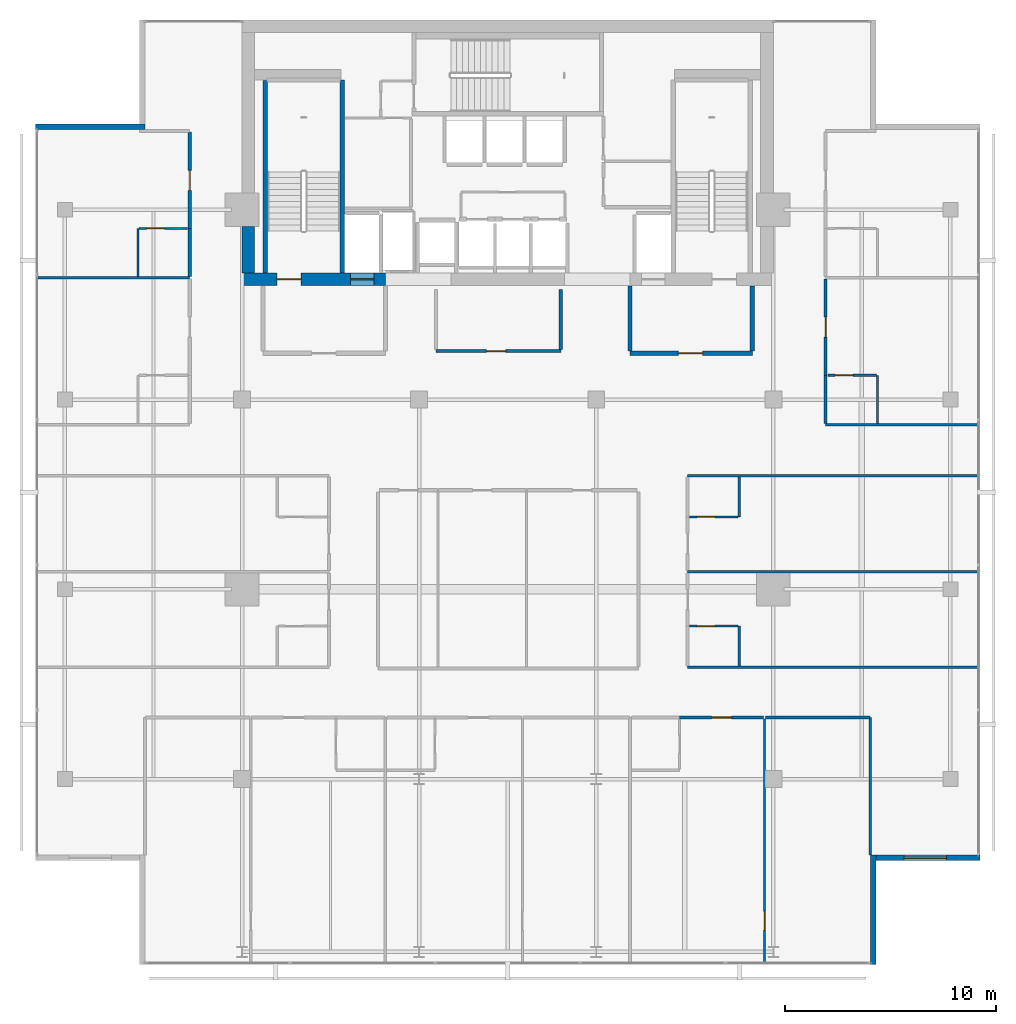
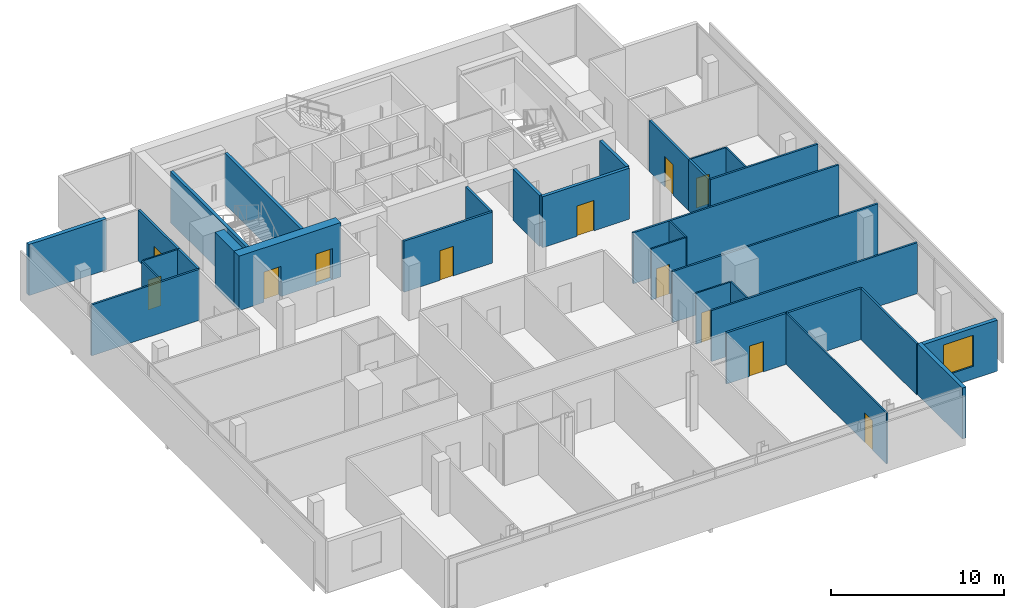
# One storey, part 21 of 25: 33 walls, 12 doors, 1 window, 13 openings.
"""IFC4 building model written with IfcOpenShell, lengths in metres."""

from ifc_helpers import new_model, si_unit, direction, frame, frame_2d, origin, place, context, subcontext, project, spatial, rectangle, extrude, material, layer, layer_set, type_object, element, fill, save


model = new_model("IFC4")

# Units and contexts
model_context = context("Model", 3, precision=1e-05, world=origin(), true_north=direction((0.0, 1.0)))
body_context = subcontext(model_context, "Body", "Model", "MODEL_VIEW")
ifc_project = project(units=[si_unit("LENGTHUNIT", "METRE"), si_unit("AREAUNIT", "SQUARE_METRE"), si_unit("VOLUMEUNIT", "CUBIC_METRE"), si_unit("PLANEANGLEUNIT", "RADIAN"), si_unit("MASSUNIT", "GRAM", prefix="KILO")], contexts=[model_context])

# Site, building, storey
site_placement = place(None, origin())
site = spatial("IfcSite", under=ifc_project, at=site_placement, CompositionType="ELEMENT")
building_placement = place(site_placement, origin())
building = spatial("IfcBuilding", under=site, at=building_placement, Name="Maruvema Waterfront Hotel and Observation Tower", CompositionType="ELEMENT")
storey_placement = place(building_placement, frame((0.0, 0.0, 304.85009765625)))
storey = spatial("IfcBuildingStorey", under=building, at=storey_placement, Name="L75", CompositionType="ELEMENT", Elevation=304.85009765625)

# Wall, opening, door
ifc_material_1 = material(Name="Twin-stud acoustic gypsum drywall", Category="gypsum")
ifc_layer_1 = layer(ifc_material_1, 0.14990234375, Name="Acoustic Corridor and Suite Demising Wall 150 mm")
ifc_layer_set_1 = layer_set([ifc_layer_1], Name="Twin-stud acoustic gypsum drywall")
wall_type_1 = type_object("IfcWallType", Name="Acoustic Corridor and Suite Demising Wall 150 mm", PredefinedType="PARTITIONING", material=ifc_layer_set_1)
wall_1_placement = place(storey_placement, frame((34.39990234375, 38.300048828125, 0.0), z_axis=(0.0, 0.0, 1.0), x_axis=(1.0, 0.0, 0.0)))
wall_1 = element("IfcWall", 1, at=wall_1_placement, inside=storey, type_object=wall_type_1, Name="L75 Core Apron K0 South 022", PredefinedType="PARTITIONING", context=body_context, shape_type="SweptSolid", body=[
    extrude(rectangle(XDim=5.920166015625, YDim=0.14990234375, at=frame_2d((2.9599609375, 0.0))), origin(), (0.0, 0.0, 1.0), 3.60986328125),
])
opening_1_placement = place(wall_1_placement, frame((2.39990234375, 0.0, 0.0)))
opening_1 = element("IfcOpeningElement", 2, at=opening_1_placement, cuts=wall_1, Name="Opening DR-090", PredefinedType="OPENING", context=body_context, shape_type="SweptSolid", body=[
    extrude(rectangle(XDim=0.89990234375, YDim=2.10009765625, at=frame_2d((0.449951171875, 1.050048828125))), frame((0.0, 0.0849609375, 0.0), z_axis=(0.0, -1.0, 0.0), x_axis=(1.0, 0.0, 0.0)), (0.0, 0.0, 1.0), 0.169921875),
])
ifc_material_2 = material(Name="Solid-core lacquered timber leaf", Category="wood")
door_type_1 = type_object("IfcDoorType", Name="Accessible Toilet and Room Door 900x2100 mm", OperationType="NOTDEFINED", PredefinedType="DOOR", material=ifc_material_2)
door_1_placement = place(opening_1_placement, frame((0.89990234375, 0.0, 0.0), z_axis=(0.0, 0.0, 1.0), x_axis=(-1.0, 0.0, 0.0)))
door_1 = element("IfcDoor", 3, at=door_1_placement, inside=storey, type_object=door_type_1, Name="L75 Core Valet Room Door", OperationType="SINGLE_SWING_LEFT", OverallHeight=2.10009765625, OverallWidth=0.89990234375, PredefinedType="DOOR", context=body_context, shape_type="SweptSolid", body=[
    extrude(rectangle(XDim=0.89990234375, YDim=2.10009765625, at=frame_2d((0.449951171875, 1.050048828125))), frame((0.0, 0.02490234375, 0.0), z_axis=(0.0, -1.0, 0.0), x_axis=(1.0, 0.0, 0.0)), (0.0, 0.0, 1.0), 0.050048828125),
])
fill(opening_1, door_1)

# Wall
wall_2_placement = place(storey_placement, frame((40.320068359375, 38.3798828125, 0.0), z_axis=(0.0, 0.0, 1.0), x_axis=(0.0, 1.0, 0.0)))
element("IfcWall", 4, at=wall_2_placement, inside=storey, type_object=wall_type_1, Name="L75 Core Apron K0 East 024", PredefinedType="PARTITIONING", context=body_context, shape_type="SweptSolid", body=[
    extrude(rectangle(XDim=2.840087890625, YDim=0.14990234375, at=frame_2d((1.419921875, 0.0))), origin(), (0.0, 0.0, 1.0), 3.60986328125),
])

# Wall, opening, door
wall_3_placement = place(storey_placement, frame((45.949951171875, 20.919921875, 0.0), z_axis=(0.0, 0.0, 1.0), x_axis=(1.0, 0.0, 0.0)))
wall_3 = element("IfcWall", 5, at=wall_3_placement, inside=storey, type_object=wall_type_1, Name="L75 Unit L75-S3 Corridor Wall 052", PredefinedType="PARTITIONING", context=body_context, shape_type="SweptSolid", body=[
    extrude(rectangle(XDim=3.994140625, YDim=0.14990234375, at=frame_2d((1.9970703125, 0.0))), origin(), (0.0, 0.0, 1.0), 3.60986328125),
])
opening_2_placement = place(wall_3_placement, frame((1.52197265625, 0.0, 0.0)))
opening_2 = element("IfcOpeningElement", 6, at=opening_2_placement, cuts=wall_3, Name="Opening DR-095", PredefinedType="OPENING", context=body_context, shape_type="SweptSolid", body=[
    extrude(rectangle(XDim=0.949951171875, YDim=2.14990234375, at=frame_2d((0.47509765625, 1.074951171875))), frame((0.0, 0.0849609375, 0.0), z_axis=(0.0, -1.0, 0.0), x_axis=(1.0, 0.0, 0.0)), (0.0, 0.0, 1.0), 0.169921875),
])
ifc_material_3 = material(Name="Acoustic solid-core hardwood timber leaf", Category="wood")
door_type_2 = type_object("IfcDoorType", Name="Guestroom Entrance Fire Door 950x2150 mm", OperationType="NOTDEFINED", PredefinedType="DOOR", material=ifc_material_3)
door_2_placement = place(opening_2_placement, frame((0.949951171875, 0.0, 0.0), z_axis=(0.0, 0.0, 1.0), x_axis=(-1.0, 0.0, 0.0)))
door_2 = element("IfcDoor", 7, at=door_2_placement, inside=storey, type_object=door_type_2, Name="L75 Unit L75-S3 Entrance Door", OperationType="SINGLE_SWING_RIGHT", OverallHeight=2.14990234375, OverallWidth=0.949951171875, PredefinedType="DOOR", context=body_context, shape_type="SweptSolid", body=[
    extrude(rectangle(XDim=0.949951171875, YDim=2.14990234375, at=frame_2d((0.47509765625, 1.074951171875))), frame((0.0, 0.02490234375, 0.0), z_axis=(0.0, -1.0, 0.0), x_axis=(1.0, 0.0, 0.0)), (0.0, 0.0, 1.0), 0.050048828125),
])
fill(opening_2, door_2)

# Walls
wall_4_placement = place(storey_placement, frame((50.02392578125, 20.919921875, 0.0), z_axis=(0.0, 0.0, 1.0), x_axis=(1.0, 0.0, 0.0)))
element("IfcWall", 8, at=wall_4_placement, inside=storey, type_object=wall_type_1, Name="L75 Bedroom L75-S3 Back Wall 053", PredefinedType="PARTITIONING", context=body_context, shape_type="SweptSolid", body=[
    extrude(rectangle(XDim=4.9560546875, YDim=0.14990234375, at=frame_2d((2.47802734375, 0.0))), origin(), (0.0, 0.0, 1.0), 3.60986328125),
])
wall_5_placement = place(storey_placement, frame((52.8798828125, 34.860107421875, 0.0), z_axis=(0.0, 0.0, 1.0), x_axis=(0.0, 1.0, 0.0)))
element("IfcWall", 9, at=wall_5_placement, inside=storey, type_object=wall_type_1, Name="L75 Bath L75-NE1 Wall 085", PredefinedType="PARTITIONING", context=body_context, shape_type="SweptSolid", body=[
    extrude(rectangle(XDim=2.289794921875, YDim=0.14990234375, at=frame_2d((1.14501953125, 0.0))), origin(), (0.0, 0.0, 1.0), 3.60986328125),
])

# Wall, opening, door
wall_6_placement = place(storey_placement, frame((52.8798828125, 37.14990234375, 0.0), z_axis=(0.0, 0.0, 1.0), x_axis=(0.0, 1.0, 0.0)))
wall_6 = element("IfcWall", 10, at=wall_6_placement, inside=storey, type_object=wall_type_1, Name="L75 Room L75-NE1 Corridor Wall 086", PredefinedType="PARTITIONING", context=body_context, shape_type="SweptSolid", body=[
    extrude(rectangle(XDim=4.558837890625, YDim=0.14990234375, at=frame_2d((2.279296875, 0.0))), origin(), (0.0, 0.0, 1.0), 3.60986328125),
])
opening_3_placement = place(wall_6_placement, frame((1.804443359375, 0.0, 0.0)))
opening_3 = element("IfcOpeningElement", 11, at=opening_3_placement, cuts=wall_6, Name="Opening DR-095", PredefinedType="OPENING", context=body_context, shape_type="SweptSolid", body=[
    extrude(rectangle(XDim=0.949951171875, YDim=2.14990234375, at=frame_2d((0.47509765625, 1.074951171875))), frame((0.0, 0.0849609375, 0.0), z_axis=(0.0, -1.0, 0.0), x_axis=(1.0, 0.0, 0.0)), (0.0, 0.0, 1.0), 0.169921875),
])
door_3_placement = place(opening_3_placement, frame((0.949951171875, 0.0, 0.0), z_axis=(0.0, 0.0, 1.0), x_axis=(-1.0, 0.0, 0.0)))
door_3 = element("IfcDoor", 12, at=door_3_placement, inside=storey, type_object=door_type_2, Name="L75 Room L75-NE1 Entrance Door", OperationType="SINGLE_SWING_LEFT", OverallHeight=2.14990234375, OverallWidth=0.949951171875, PredefinedType="DOOR", context=body_context, shape_type="SweptSolid", body=[
    extrude(rectangle(XDim=0.949951171875, YDim=2.14990234375, at=frame_2d((0.47509765625, 1.074951171875))), frame((0.0, 0.02490234375, 0.0), z_axis=(0.0, -1.0, 0.0), x_axis=(1.0, 0.0, 0.0)), (0.0, 0.0, 1.0), 0.050048828125),
])
fill(opening_3, door_3)

# Wall
wall_7_placement = place(storey_placement, frame((22.719970703125, 41.82861328125, 0.0), z_axis=(0.0, 0.0, 1.0), x_axis=(0.0, 1.0, 0.0)))
element("IfcWall", 13, at=wall_7_placement, inside=storey, type_object=wall_type_1, Name="L75 Bath L75-NW2 Wall 091", PredefinedType="PARTITIONING", context=body_context, shape_type="SweptSolid", body=[
    extrude(rectangle(XDim=2.2900390625, YDim=0.14990234375, at=frame_2d((1.14501953125, 0.0))), origin(), (0.0, 0.0, 1.0), 3.60986328125),
])

# Wall, opening, door
wall_8_placement = place(storey_placement, frame((22.719970703125, 44.11865234375, 0.0), z_axis=(0.0, 0.0, 1.0), x_axis=(0.0, 1.0, 0.0)))
wall_8 = element("IfcWall", 14, at=wall_8_placement, inside=storey, type_object=wall_type_1, Name="L75 Room L75-NW2 Corridor Wall 092", PredefinedType="PARTITIONING", context=body_context, shape_type="SweptSolid", body=[
    extrude(rectangle(XDim=4.558837890625, YDim=0.14990234375, at=frame_2d((2.279296875, 0.0))), origin(), (0.0, 0.0, 1.0), 3.60986328125),
])
opening_4_placement = place(wall_8_placement, frame((1.804443359375, 0.0, 0.0)))
opening_4 = element("IfcOpeningElement", 15, at=opening_4_placement, cuts=wall_8, Name="Opening DR-095", PredefinedType="OPENING", context=body_context, shape_type="SweptSolid", body=[
    extrude(rectangle(XDim=0.949951171875, YDim=2.14990234375, at=frame_2d((0.47509765625, 1.074951171875))), frame((0.0, 0.0849609375, 0.0), z_axis=(0.0, -1.0, 0.0), x_axis=(1.0, 0.0, 0.0)), (0.0, 0.0, 1.0), 0.169921875),
])
door_4_placement = place(opening_4_placement, origin())
door_4 = element("IfcDoor", 16, at=door_4_placement, inside=storey, type_object=door_type_2, Name="L75 Room L75-NW2 Entrance Door", OperationType="SINGLE_SWING_LEFT", OverallHeight=2.14990234375, OverallWidth=0.949951171875, PredefinedType="DOOR", context=body_context, shape_type="SweptSolid", body=[
    extrude(rectangle(XDim=0.949951171875, YDim=2.14990234375, at=frame_2d((0.47509765625, 1.074951171875))), frame((0.0, 0.02490234375, 0.0), z_axis=(0.0, -1.0, 0.0), x_axis=(1.0, 0.0, 0.0)), (0.0, 0.0, 1.0), 0.050048828125),
])
fill(opening_4, door_4)

# Walls
ifc_material_4 = material(Name="Precast concrete C45/55", Category="concrete")
ifc_layer_2 = layer(ifc_material_4, 0.199951171875, Name="Core Shaft and Stairwell Enclosure Wall 200 mm")
ifc_layer_set_2 = layer_set([ifc_layer_2], Name="Precast concrete C45/55")
wall_type_2 = type_object("IfcWallType", Name="Core Shaft and Stairwell Enclosure Wall 200 mm", PredefinedType="SOLIDWALL", material=ifc_layer_set_2)
wall_9_placement = place(storey_placement, frame((29.949951171875, 42.0, 0.0), z_axis=(0.0, 0.0, 1.0), x_axis=(0.0, 1.0, 0.0)))
element("IfcWall", 17, at=wall_9_placement, inside=storey, type_object=wall_type_2, Name="L75 Stairwell ST-01 East Shaft Wall", PredefinedType="SOLIDWALL", context=body_context, shape_type="SweptSolid", body=[
    extrude(rectangle(XDim=9.14990234375, YDim=0.199951171875, at=frame_2d((4.574951171875, 0.0))), origin(), (0.0, 0.0, 1.0), 3.60986328125),
])
wall_10_placement = place(storey_placement, frame((26.300048828125, 42.0, 0.0), z_axis=(0.0, 0.0, 1.0), x_axis=(0.0, 1.0, 0.0)))
element("IfcWall", 18, at=wall_10_placement, inside=storey, type_object=wall_type_2, Name="L75 Stairwell ST-01 Shaft Lining Wall", PredefinedType="SOLIDWALL", context=body_context, shape_type="SweptSolid", body=[
    extrude(rectangle(XDim=9.1201171875, YDim=0.199951171875, at=frame_2d((4.56005859375, 0.0))), origin(), (0.0, 0.0, 1.0), 3.60986328125),
])

# Wall, openings, doors
ifc_material_5 = material(Name="Concrete C60/75", Category="concrete")
ifc_layer_3 = layer(ifc_material_5, 0.60009765625, Name="Core Shear Wall 600 mm")
ifc_layer_set_3 = layer_set([ifc_layer_3], Name="Concrete C60/75")
wall_type_3 = type_object("IfcWallType", Name="Core Shear Wall 600 mm", PredefinedType="SHEAR", material=ifc_layer_set_3)
wall_11_placement = place(storey_placement, frame((25.199951171875, 41.699951171875, 0.0), z_axis=(0.0, 0.0, 1.0), x_axis=(1.0, 0.0, 0.0)))
wall_11 = element("IfcWall", 19, at=wall_11_placement, inside=storey, type_object=wall_type_3, Name="L75 South-West Core Shear Wall", PredefinedType="SHEAR", context=body_context, shape_type="SweptSolid", body=[
    extrude(rectangle(XDim=6.800048828125, YDim=0.60009765625, at=frame_2d((3.39990234375, 0.0))), origin(), (0.0, 0.0, 1.0), 3.849853515625),
])
opening_5_placement = place(wall_11_placement, frame((1.64990234375, 0.0, 0.0)))
opening_5 = element("IfcOpeningElement", 20, at=opening_5_placement, cuts=wall_11, Name="Opening SD-01", PredefinedType="OPENING", context=body_context, shape_type="SweptSolid", body=[
    extrude(rectangle(XDim=1.14990234375, YDim=2.14990234375, at=frame_2d((0.574951171875, 1.074951171875))), frame((0.0, 0.31005859375, 0.0), z_axis=(0.0, -1.0, 0.0), x_axis=(1.0, 0.0, 0.0)), (0.0, 0.0, 1.0), 0.6201171875),
])
opening_6_placement = place(wall_11_placement, frame((5.14990234375, 0.0, 0.0)))
opening_6 = element("IfcOpeningElement", 21, at=opening_6_placement, cuts=wall_11, Name="Opening LD-03", PredefinedType="OPENING", context=body_context, shape_type="SweptSolid", body=[
    extrude(rectangle(XDim=1.10009765625, YDim=2.199951171875, at=frame_2d((0.550048828125, 1.10009765625))), frame((0.0, 0.31005859375, 0.0), z_axis=(0.0, -1.0, 0.0), x_axis=(1.0, 0.0, 0.0)), (0.0, 0.0, 1.0), 0.6201171875),
])
ifc_material_6 = material(Name="Fire-rated galvanised steel leaf", Category="steel")
door_type_3 = type_object("IfcDoorType", Name="Exit Stair Fire Door 1150x2150 mm", OperationType="NOTDEFINED", PredefinedType="DOOR", material=ifc_material_6)
door_5_placement = place(opening_5_placement, origin())
door_5 = element("IfcDoor", 22, at=door_5_placement, inside=storey, type_object=door_type_3, Name="L75 Exit Stair ST-01 Fire Door", OperationType="SINGLE_SWING_LEFT", OverallHeight=2.14990234375, OverallWidth=1.14990234375, PredefinedType="DOOR", context=body_context, shape_type="SweptSolid", body=[
    extrude(rectangle(XDim=1.14990234375, YDim=2.14990234375, at=frame_2d((0.574951171875, 1.074951171875))), frame((0.0, 0.02490234375, 0.0), z_axis=(0.0, -1.0, 0.0), x_axis=(1.0, 0.0, 0.0)), (0.0, 0.0, 1.0), 0.050048828125),
])
fill(opening_5, door_5)
ifc_material_7 = material(Name="Brushed stainless steel Grade 316", Category="steel")
door_type_4 = type_object("IfcDoorType", Name="Firefighting Lift Sliding Landing Door 1100x2200 mm", OperationType="SLIDING_TO_LEFT", PredefinedType="DOOR", material=ifc_material_7)
door_6_placement = place(opening_6_placement, frame((1.10009765625, 0.0, 0.0), z_axis=(0.0, 0.0, 1.0), x_axis=(-1.0, 0.0, 0.0)))
door_6 = element("IfcDoor", 23, at=door_6_placement, inside=storey, type_object=door_type_4, Name="L75 Firefighting Lift FL-01 Landing Door", OperationType="SLIDING_TO_LEFT", OverallHeight=2.199951171875, OverallWidth=1.10009765625, PredefinedType="DOOR", context=body_context, shape_type="SweptSolid", body=[
    extrude(rectangle(XDim=1.10009765625, YDim=2.199951171875, at=frame_2d((0.550048828125, 1.10009765625))), frame((0.0, 0.02490234375, 0.0), z_axis=(0.0, -1.0, 0.0), x_axis=(1.0, 0.0, 0.0)), (0.0, 0.0, 1.0), 0.050048828125),
])
fill(opening_6, door_6)

# Wall
wall_12_placement = place(storey_placement, frame((25.5, 42.0, 0.0), z_axis=(0.0, 0.0, 1.0), x_axis=(0.0, 1.0, 0.0)))
element("IfcWall", 24, at=wall_12_placement, inside=storey, type_object=wall_type_3, Name="L75 West-South Core Shear Wall", PredefinedType="SHEAR", context=body_context, shape_type="SweptSolid", body=[
    extrude(rectangle(XDim=2.199951171875, YDim=0.60009765625, at=frame_2d((1.10009765625, 0.0))), origin(), (0.0, 0.0, 1.0), 3.849853515625),
])

# Wall, opening, door
ifc_material_8 = material(Name="Moisture-resistant cement-board drywall", Category="gypsum")
ifc_layer_4 = layer(ifc_material_8, 0.10009765625, Name="En-Suite Moisture-Resistant Partition 100 mm")
ifc_layer_set_4 = layer_set([ifc_layer_4], Name="Moisture-resistant cement-board drywall")
wall_type_4 = type_object("IfcWallType", Name="En-Suite Moisture-Resistant Partition 100 mm", PredefinedType="PARTITIONING", material=ifc_layer_set_4)
wall_13_placement = place(storey_placement, frame((49.98388671875, 9.22998046875, 0.0), z_axis=(0.0, 0.0, 1.0), x_axis=(0.0, 1.0, 0.0)))
wall_13 = element("IfcWall", 25, at=wall_13_placement, inside=storey, type_object=wall_type_4, Name="L75 Suite L75-S3 Split 054", PredefinedType="PARTITIONING", context=body_context, shape_type="SweptSolid", body=[
    extrude(rectangle(XDim=11.630126953125, YDim=0.10009765625, at=frame_2d((5.81494140625, 0.0))), origin(), (0.0, 0.0, 1.0), 3.60986328125),
])
opening_7_placement = place(wall_13_placement, frame((1.60009765625, 0.0, 0.0)))
opening_7 = element("IfcOpeningElement", 26, at=opening_7_placement, cuts=wall_13, Name="Opening DR-090", PredefinedType="OPENING", context=body_context, shape_type="SweptSolid", body=[
    extrude(rectangle(XDim=0.89990234375, YDim=2.10009765625, at=frame_2d((0.449951171875, 1.050048828125))), frame((0.0, 0.06005859375, 0.0), z_axis=(0.0, -1.0, 0.0), x_axis=(1.0, 0.0, 0.0)), (0.0, 0.0, 1.0), 0.1201171875),
])
door_7_placement = place(opening_7_placement, origin())
door_7 = element("IfcDoor", 27, at=door_7_placement, inside=storey, type_object=door_type_1, Name="L75 Suite L75-S3 Bedroom Door", OperationType="SINGLE_SWING_LEFT", OverallHeight=2.10009765625, OverallWidth=0.89990234375, PredefinedType="DOOR", context=body_context, shape_type="SweptSolid", body=[
    extrude(rectangle(XDim=0.89990234375, YDim=2.10009765625, at=frame_2d((0.449951171875, 1.050048828125))), frame((0.0, 0.02490234375, 0.0), z_axis=(0.0, -1.0, 0.0), x_axis=(1.0, 0.0, 0.0)), (0.0, 0.0, 1.0), 0.050048828125),
])
fill(opening_7, door_7)

# Wall
wall_14_placement = place(storey_placement, frame((48.780029296875, 23.360107421875, 0.0), z_axis=(0.0, 0.0, 1.0), x_axis=(0.0, 1.0, 0.0)))
element("IfcWall", 28, at=wall_14_placement, inside=storey, type_object=wall_type_4, Name="L75 En-Suite L75-E1 E 065", PredefinedType="PARTITIONING", context=body_context, shape_type="SweptSolid", body=[
    extrude(rectangle(XDim=1.889892578125, YDim=0.10009765625, at=frame_2d((0.94482421875, 0.0))), origin(), (0.0, 0.0, 1.0), 3.60986328125),
])

# Wall, opening, door
wall_15_placement = place(storey_placement, frame((46.429931640625, 25.25, 0.0), z_axis=(0.0, 0.0, 1.0), x_axis=(1.0, 0.0, 0.0)))
wall_15 = element("IfcWall", 29, at=wall_15_placement, inside=storey, type_object=wall_type_4, Name="L75 En-Suite L75-E1 N 066", PredefinedType="PARTITIONING", context=body_context, shape_type="SweptSolid", body=[
    extrude(rectangle(XDim=2.300048828125, YDim=0.10009765625, at=frame_2d((1.14990234375, 0.0))), origin(), (0.0, 0.0, 1.0), 3.60986328125),
])
opening_8_placement = place(wall_15_placement, frame((0.35009765625, 0.0, 0.0)))
opening_8 = element("IfcOpeningElement", 30, at=opening_8_placement, cuts=wall_15, Name="Opening DR-085", PredefinedType="OPENING", context=body_context, shape_type="SweptSolid", body=[
    extrude(rectangle(XDim=0.85009765625, YDim=2.10009765625, at=frame_2d((0.425048828125, 1.050048828125))), frame((0.0, 0.06005859375, 0.0), z_axis=(0.0, -1.0, 0.0), x_axis=(1.0, 0.0, 0.0)), (0.0, 0.0, 1.0), 0.1201171875),
])
ifc_material_9 = material(Name="Moisture-resistant solid timber leaf", Category="wood")
door_type_5 = type_object("IfcDoorType", Name="En-Suite Bathroom Door 850x2100 mm", OperationType="NOTDEFINED", PredefinedType="DOOR", material=ifc_material_9)
door_8_placement = place(opening_8_placement, origin())
door_8 = element("IfcDoor", 31, at=door_8_placement, inside=storey, type_object=door_type_5, Name="L75 En-Suite L75-E1 Door", OperationType="SINGLE_SWING_RIGHT", OverallHeight=2.10009765625, OverallWidth=0.85009765625, PredefinedType="DOOR", context=body_context, shape_type="SweptSolid", body=[
    extrude(rectangle(XDim=0.85009765625, YDim=2.10009765625, at=frame_2d((0.425048828125, 1.050048828125))), frame((0.0, 0.02490234375, 0.0), z_axis=(0.0, -1.0, 0.0), x_axis=(1.0, 0.0, 0.0)), (0.0, 0.0, 1.0), 0.050048828125),
])
fill(opening_8, door_8)

# Wall
wall_16_placement = place(storey_placement, frame((48.780029296875, 30.429931640625, 0.0), z_axis=(0.0, 0.0, 1.0), x_axis=(0.0, 1.0, 0.0)))
element("IfcWall", 32, at=wall_16_placement, inside=storey, type_object=wall_type_4, Name="L75 En-Suite L75-E2 E 075", PredefinedType="PARTITIONING", context=body_context, shape_type="SweptSolid", body=[
    extrude(rectangle(XDim=1.89013671875, YDim=0.10009765625, at=frame_2d((0.945068359375, 0.0))), origin(), (0.0, 0.0, 1.0), 3.60986328125),
])

# Wall, opening, door
wall_17_placement = place(storey_placement, frame((46.429931640625, 30.429931640625, 0.0), z_axis=(0.0, 0.0, 1.0), x_axis=(1.0, 0.0, 0.0)))
wall_17 = element("IfcWall", 33, at=wall_17_placement, inside=storey, type_object=wall_type_4, Name="L75 En-Suite L75-E2 S 076", PredefinedType="PARTITIONING", context=body_context, shape_type="SweptSolid", body=[
    extrude(rectangle(XDim=2.300048828125, YDim=0.10009765625, at=frame_2d((1.14990234375, 0.0))), origin(), (0.0, 0.0, 1.0), 3.60986328125),
])
opening_9_placement = place(wall_17_placement, frame((0.35009765625, 0.0, 0.0)))
opening_9 = element("IfcOpeningElement", 34, at=opening_9_placement, cuts=wall_17, Name="Opening DR-085", PredefinedType="OPENING", context=body_context, shape_type="SweptSolid", body=[
    extrude(rectangle(XDim=0.85009765625, YDim=2.10009765625, at=frame_2d((0.425048828125, 1.050048828125))), frame((0.0, 0.06005859375, 0.0), z_axis=(0.0, -1.0, 0.0), x_axis=(1.0, 0.0, 0.0)), (0.0, 0.0, 1.0), 0.1201171875),
])
door_9_placement = place(opening_9_placement, frame((0.85009765625, 0.0, 0.0), z_axis=(0.0, 0.0, 1.0), x_axis=(-1.0, 0.0, 0.0)))
door_9 = element("IfcDoor", 35, at=door_9_placement, inside=storey, type_object=door_type_5, Name="L75 En-Suite L75-E2 Door", OperationType="SINGLE_SWING_RIGHT", OverallHeight=2.10009765625, OverallWidth=0.85009765625, PredefinedType="DOOR", context=body_context, shape_type="SweptSolid", body=[
    extrude(rectangle(XDim=0.85009765625, YDim=2.10009765625, at=frame_2d((0.425048828125, 1.050048828125))), frame((0.0, 0.02490234375, 0.0), z_axis=(0.0, -1.0, 0.0), x_axis=(1.0, 0.0, 0.0)), (0.0, 0.0, 1.0), 0.050048828125),
])
fill(opening_9, door_9)

# Wall
wall_18_placement = place(storey_placement, frame((55.330078125, 34.860107421875, 0.0), z_axis=(0.0, 0.0, 1.0), x_axis=(0.0, 1.0, 0.0)))
element("IfcWall", 36, at=wall_18_placement, inside=storey, type_object=wall_type_4, Name="L75 En-Suite L75-NE1 E 087", PredefinedType="PARTITIONING", context=body_context, shape_type="SweptSolid", body=[
    extrude(rectangle(XDim=2.289794921875, YDim=0.10009765625, at=frame_2d((1.14501953125, 0.0))), origin(), (0.0, 0.0, 1.0), 3.60986328125),
])

# Wall, opening, door
wall_19_placement = place(storey_placement, frame((52.97998046875, 37.14990234375, 0.0), z_axis=(0.0, 0.0, 1.0), x_axis=(1.0, 0.0, 0.0)))
wall_19 = element("IfcWall", 37, at=wall_19_placement, inside=storey, type_object=wall_type_4, Name="L75 En-Suite L75-NE1 N 088", PredefinedType="PARTITIONING", context=body_context, shape_type="SweptSolid", body=[
    extrude(rectangle(XDim=2.300048828125, YDim=0.10009765625, at=frame_2d((1.14990234375, 0.0))), origin(), (0.0, 0.0, 1.0), 3.60986328125),
])
opening_10_placement = place(wall_19_placement, frame((0.35009765625, 0.0, 0.0)))
opening_10 = element("IfcOpeningElement", 38, at=opening_10_placement, cuts=wall_19, Name="Opening DR-085", PredefinedType="OPENING", context=body_context, shape_type="SweptSolid", body=[
    extrude(rectangle(XDim=0.85009765625, YDim=2.10009765625, at=frame_2d((0.425048828125, 1.050048828125))), frame((0.0, 0.06005859375, 0.0), z_axis=(0.0, -1.0, 0.0), x_axis=(1.0, 0.0, 0.0)), (0.0, 0.0, 1.0), 0.1201171875),
])
door_10_placement = place(opening_10_placement, origin())
door_10 = element("IfcDoor", 39, at=door_10_placement, inside=storey, type_object=door_type_5, Name="L75 En-Suite L75-NE1 Door", OperationType="SINGLE_SWING_RIGHT", OverallHeight=2.10009765625, OverallWidth=0.85009765625, PredefinedType="DOOR", context=body_context, shape_type="SweptSolid", body=[
    extrude(rectangle(XDim=0.85009765625, YDim=2.10009765625, at=frame_2d((0.425048828125, 1.050048828125))), frame((0.0, 0.02490234375, 0.0), z_axis=(0.0, -1.0, 0.0), x_axis=(1.0, 0.0, 0.0)), (0.0, 0.0, 1.0), 0.050048828125),
])
fill(opening_10, door_10)

# Wall
wall_20_placement = place(storey_placement, frame((20.27001953125, 41.82861328125, 0.0), z_axis=(0.0, 0.0, 1.0), x_axis=(0.0, 1.0, 0.0)))
element("IfcWall", 40, at=wall_20_placement, inside=storey, type_object=wall_type_4, Name="L75 En-Suite L75-NW2 W 093", PredefinedType="PARTITIONING", context=body_context, shape_type="SweptSolid", body=[
    extrude(rectangle(XDim=2.2900390625, YDim=0.10009765625, at=frame_2d((1.14501953125, 0.0))), origin(), (0.0, 0.0, 1.0), 3.60986328125),
])

# Wall, opening, door
wall_21_placement = place(storey_placement, frame((20.320068359375, 44.11865234375, 0.0), z_axis=(0.0, 0.0, 1.0), x_axis=(1.0, 0.0, 0.0)))
wall_21 = element("IfcWall", 41, at=wall_21_placement, inside=storey, type_object=wall_type_4, Name="L75 En-Suite L75-NW2 N 094", PredefinedType="PARTITIONING", context=body_context, shape_type="SweptSolid", body=[
    extrude(rectangle(XDim=2.300048828125, YDim=0.10009765625, at=frame_2d((1.14990234375, 0.0))), origin(), (0.0, 0.0, 1.0), 3.60986328125),
])
opening_11_placement = place(wall_21_placement, frame((0.35009765625, 0.0, 0.0)))
opening_11 = element("IfcOpeningElement", 42, at=opening_11_placement, cuts=wall_21, Name="Opening DR-085", PredefinedType="OPENING", context=body_context, shape_type="SweptSolid", body=[
    extrude(rectangle(XDim=0.85009765625, YDim=2.10009765625, at=frame_2d((0.425048828125, 1.050048828125))), frame((0.0, 0.06005859375, 0.0), z_axis=(0.0, -1.0, 0.0), x_axis=(1.0, 0.0, 0.0)), (0.0, 0.0, 1.0), 0.1201171875),
])
door_11_placement = place(opening_11_placement, origin())
door_11 = element("IfcDoor", 43, at=door_11_placement, inside=storey, type_object=door_type_5, Name="L75 En-Suite L75-NW2 Door", OperationType="SINGLE_SWING_RIGHT", OverallHeight=2.10009765625, OverallWidth=0.85009765625, PredefinedType="DOOR", context=body_context, shape_type="SweptSolid", body=[
    extrude(rectangle(XDim=0.85009765625, YDim=2.10009765625, at=frame_2d((0.425048828125, 1.050048828125))), frame((0.0, 0.02490234375, 0.0), z_axis=(0.0, -1.0, 0.0), x_axis=(1.0, 0.0, 0.0)), (0.0, 0.0, 1.0), 0.050048828125),
])
fill(opening_11, door_11)

# Wall
ifc_material_10 = material(Name="Precast concrete C45/55 with honed Pernambuco granite facing", Category="masonry")
ifc_layer_5 = layer(ifc_material_10, 0.260009765625, Name="Exterior Granite Clad Spandrel and Pier Wall 260 mm")
ifc_layer_set_5 = layer_set([ifc_layer_5], Name="Precast concrete C45/55 with honed Pernambuco granite facing")
wall_type_5 = type_object("IfcWallType", Name="Exterior Granite Clad Spandrel and Pier Wall 260 mm", PredefinedType="SOLIDWALL", material=ifc_layer_set_5)
wall_22_placement = place(storey_placement, frame((55.1298828125, 14.39990234375, 0.0), z_axis=(0.0, 0.0, 1.0), x_axis=(0.0, -1.0, 0.0)))
element("IfcWall", 44, at=wall_22_placement, inside=storey, type_object=wall_type_5, Name="L75 Corner Notch Granite Pier Wall SE1", PredefinedType="SOLIDWALL", context=body_context, shape_type="SweptSolid", body=[
    extrude(rectangle(XDim=5.199951171875, YDim=0.260009765625, at=frame_2d((2.60009765625, 0.0))), origin(), (0.0, 0.0, 1.0), 3.60986328125),
])

# Wall, opening, window
wall_23_placement = place(storey_placement, frame((60.199951171875, 14.27001953125, 0.0), z_axis=(0.0, 0.0, 1.0), x_axis=(-1.0, 0.0, 0.0)))
wall_23 = element("IfcWall", 45, at=wall_23_placement, inside=storey, type_object=wall_type_5, Name="L75 Corner Notch Granite Pier Wall SE2", PredefinedType="SOLIDWALL", context=body_context, shape_type="SweptSolid", body=[
    extrude(rectangle(XDim=5.199951171875, YDim=0.260009765625, at=frame_2d((2.60009765625, 0.0))), origin(), (0.0, 0.0, 1.0), 3.60986328125),
])
opening_12_placement = place(wall_23_placement, frame((1.60009765625, 0.0, 0.89990234375)))
opening_12 = element("IfcOpeningElement", 46, at=opening_12_placement, cuts=wall_23, Name="Opening WN-03", PredefinedType="OPENING", context=body_context, shape_type="SweptSolid", body=[
    extrude(rectangle(XDim=2.0, YDim=2.199951171875, at=frame_2d((1.0, 1.10009765625))), frame((0.0, 0.14013671875, 0.0), z_axis=(0.0, -1.0, 0.0), x_axis=(1.0, 0.0, 0.0)), (0.0, 0.0, 1.0), 0.280029296875),
])
ifc_material_11 = material(Name="Anodised bronze aluminium frame with laminated low-E glass", Category="aluminium")
window_type = type_object("IfcWindowType", Name="Sky Suite Panoramic Notch Window 2000x2200 mm", PartitioningType="SINGLE_PANEL", PredefinedType="WINDOW", material=ifc_material_11)
window_placement = place(opening_12_placement, origin())
window = element("IfcWindow", 47, at=window_placement, inside=storey, type_object=window_type, Name="L75 Corner Notch Punched Window SE2", OverallHeight=2.199951171875, OverallWidth=2.0, PartitioningType="SINGLE_PANEL", PredefinedType="WINDOW", context=body_context, shape_type="SweptSolid", body=[
    extrude(rectangle(XDim=2.0, YDim=2.199951171875, at=frame_2d((1.0, 1.10009765625))), frame((0.0, 0.030029296875, 0.0), z_axis=(0.0, -1.0, 0.0), x_axis=(1.0, 0.0, 0.0)), (0.0, 0.0, 1.0), 0.06005859375),
])
fill(opening_12, window)

# Wall
wall_24_placement = place(storey_placement, frame((15.39990234375, 48.929931640625, 0.0), z_axis=(0.0, 0.0, 1.0), x_axis=(1.0, 0.0, 0.0)))
element("IfcWall", 48, at=wall_24_placement, inside=storey, type_object=wall_type_5, Name="L75 Corner Notch Granite Pier Wall NW2", PredefinedType="SOLIDWALL", context=body_context, shape_type="SweptSolid", body=[
    extrude(rectangle(XDim=5.2001953125, YDim=0.260009765625, at=frame_2d((2.60009765625, 0.0))), origin(), (0.0, 0.0, 1.0), 3.60986328125),
])

# Wall, opening, door
ifc_material_12 = material(Name="Autoclaved cellular concrete blockwork", Category="masonry")
ifc_layer_6 = layer(ifc_material_12, 0.199951171875, Name="Fire Compartment Masonry Wall 200 mm")
ifc_layer_set_6 = layer_set([ifc_layer_6], Name="Autoclaved cellular concrete blockwork")
wall_type_6 = type_object("IfcWallType", Name="Fire Compartment Masonry Wall 200 mm", PredefinedType="PARTITIONING", material=ifc_layer_set_6)
wall_25_placement = place(storey_placement, frame((43.60009765625, 38.199951171875, 0.0), z_axis=(0.0, 0.0, 1.0), x_axis=(1.0, 0.0, 0.0)))
wall_25 = element("IfcWall", 49, at=wall_25_placement, inside=storey, type_object=wall_type_6, Name="L75 FFL East South Wall 004", PredefinedType="PARTITIONING", context=body_context, shape_type="SweptSolid", body=[
    extrude(rectangle(XDim=5.7998046875, YDim=0.199951171875, at=frame_2d((2.89990234375, 0.0))), origin(), (0.0, 0.0, 1.0), 3.60986328125),
])
opening_13_placement = place(wall_25_placement, frame((2.300048828125, 0.0, 0.0)))
opening_13 = element("IfcOpeningElement", 50, at=opening_13_placement, cuts=wall_25, Name="Opening FD-115", PredefinedType="OPENING", context=body_context, shape_type="SweptSolid", body=[
    extrude(rectangle(XDim=1.14990234375, YDim=2.14990234375, at=frame_2d((0.574951171875, 1.074951171875))), frame((0.0, 0.10986328125, 0.0), z_axis=(0.0, -1.0, 0.0), x_axis=(1.0, 0.0, 0.0)), (0.0, 0.0, 1.0), 0.219970703125),
])
ifc_material_13 = material(Name="Fire-rated galvanised steel and vision glass", Category="steel")
door_type_6 = type_object("IfcDoorType", Name="Firefighting Lobby Fire Door 1150x2150 mm", OperationType="NOTDEFINED", PredefinedType="DOOR", material=ifc_material_13)
door_12_placement = place(opening_13_placement, frame((1.14990234375, 0.0, 0.0), z_axis=(0.0, 0.0, 1.0), x_axis=(-1.0, 0.0, 0.0)))
door_12 = element("IfcDoor", 51, at=door_12_placement, inside=storey, type_object=door_type_6, Name="L75 Firefighting Lobby East Door", OperationType="SINGLE_SWING_RIGHT", OverallHeight=2.14990234375, OverallWidth=1.14990234375, PredefinedType="DOOR", context=body_context, shape_type="SweptSolid", body=[
    extrude(rectangle(XDim=1.14990234375, YDim=2.14990234375, at=frame_2d((0.574951171875, 1.074951171875))), frame((0.0, 0.02490234375, 0.0), z_axis=(0.0, -1.0, 0.0), x_axis=(1.0, 0.0, 0.0)), (0.0, 0.0, 1.0), 0.050048828125),
])
fill(opening_13, door_12)

# Walls
for number, where, z_axis, x_axis, name in (
    (52, (43.60009765625, 38.31005859375, 0.0), (0.0, 0.0, 1.0), (0.0, 1.0, 0.0), "L75 FFL East West Wall 005"),
    (53, (49.39990234375, 38.31005859375, 0.0), (0.0, 0.0, 1.0), (0.0, 1.0, 0.0), "L75 FFL East East Wall 006"),
):
    element("IfcWall", number, at=place(storey_placement, frame(where, z_axis=z_axis, x_axis=x_axis)), inside=storey, type_object=wall_type_6, Name=name, PredefinedType="PARTITIONING", context=body_context, shape_type="SweptSolid", body=[
        extrude(rectangle(XDim=3.06982421875, YDim=0.199951171875, at=frame_2d((1.534912109375, 0.0))), origin(), (0.0, 0.0, 1.0), 3.60986328125),
    ])
ifc_material_14 = material(Name="Acoustic gypsum plasterboard drywall", Category="gypsum")
ifc_layer_7 = layer(ifc_material_14, 0.125, Name="Guestroom Acoustic Demising Wall 125 mm")
ifc_layer_set_7 = layer_set([ifc_layer_7], Name="Acoustic gypsum plasterboard drywall")
wall_type_7 = type_object("IfcWallType", Name="Guestroom Acoustic Demising Wall 125 mm", PredefinedType="PARTITIONING", material=ifc_layer_set_7)
wall_26_placement = place(storey_placement, frame((55.0, 14.39990234375, 0.0), z_axis=(0.0, 0.0, 1.0), x_axis=(0.0, 1.0, 0.0)))
element("IfcWall", 54, at=wall_26_placement, inside=storey, type_object=wall_type_7, Name="L75 Z3 S East End 034", PredefinedType="PARTITIONING", context=body_context, shape_type="SweptSolid", body=[
    extrude(rectangle(XDim=6.52001953125, YDim=0.125, at=frame_2d((3.260009765625, 0.0))), origin(), (0.0, 0.0, 1.0), 3.60986328125),
])
for number, where, z_axis, x_axis, name in (
    (55, (46.330078125, 23.300048828125, 0.0), (0.0, 0.0, 1.0), (1.0, 0.0, 0.0), "L75 Z3 E Bot End 056"),
    (56, (46.330078125, 32.3798828125, 0.0), (0.0, 0.0, 1.0), (1.0, 0.0, 0.0), "L75 Z3 E Top End 058"),
    (57, (46.330078125, 27.840087890625, 0.0), (0.0, 0.0, 1.0), (1.0, 0.0, 0.0), "L75 Z3 E Demising 2 068"),
):
    element("IfcWall", number, at=place(storey_placement, frame(where, z_axis=z_axis, x_axis=x_axis)), inside=storey, type_object=wall_type_7, Name=name, PredefinedType="PARTITIONING", context=body_context, shape_type="SweptSolid", body=[
        extrude(rectangle(XDim=13.77001953125, YDim=0.125, at=frame_2d((6.885009765625, 0.0))), origin(), (0.0, 0.0, 1.0), 3.60986328125),
    ])
wall_27_placement = place(storey_placement, frame((52.8798828125, 34.800048828125, 0.0), z_axis=(0.0, 0.0, 1.0), x_axis=(1.0, 0.0, 0.0)))
element("IfcWall", 58, at=wall_27_placement, inside=storey, type_object=wall_type_7, Name="L75 Z3 NE Bot End 078", PredefinedType="PARTITIONING", context=body_context, shape_type="SweptSolid", body=[
    extrude(rectangle(XDim=7.22021484375, YDim=0.125, at=frame_2d((3.610107421875, 0.0))), origin(), (0.0, 0.0, 1.0), 3.60986328125),
])
wall_28_placement = place(storey_placement, frame((15.5, 41.768798828125, 0.0), z_axis=(0.0, 0.0, 1.0), x_axis=(1.0, 0.0, 0.0)))
element("IfcWall", 59, at=wall_28_placement, inside=storey, type_object=wall_type_7, Name="L75 Z3 NW Demising 2 089", PredefinedType="PARTITIONING", context=body_context, shape_type="SweptSolid", body=[
    extrude(rectangle(XDim=7.219970703125, YDim=0.125, at=frame_2d((3.60986328125, 0.0))), origin(), (0.0, 0.0, 1.0), 3.60986328125),
])

save(model, "model.ifc")
